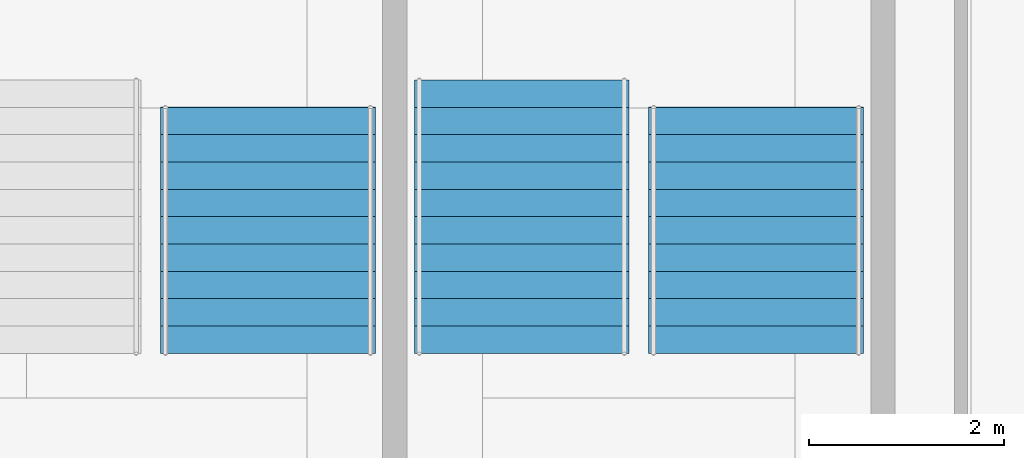
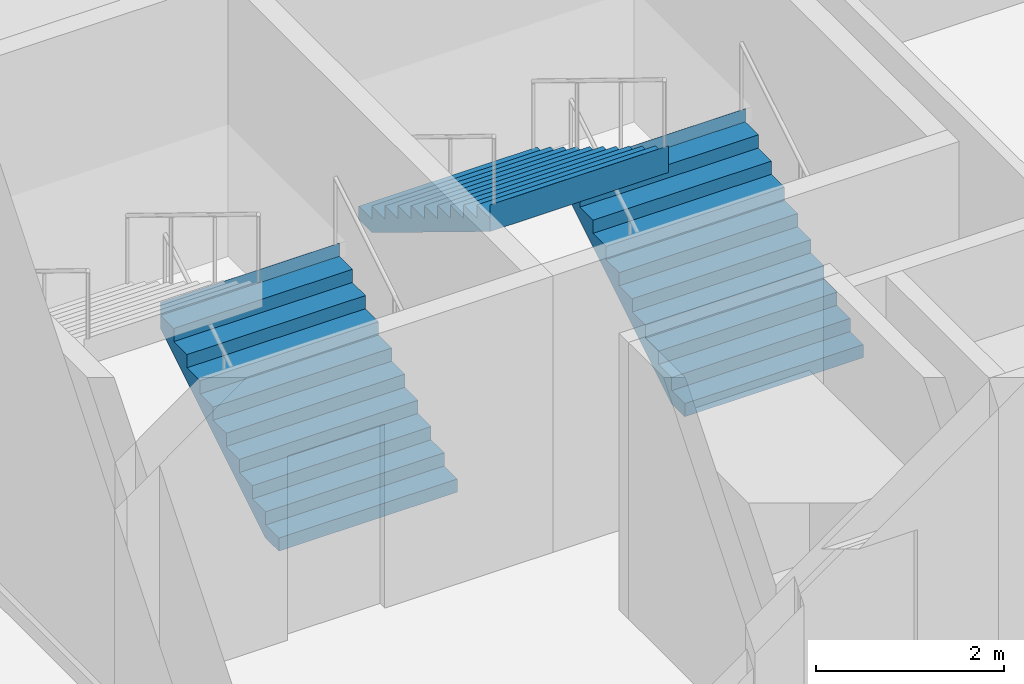
# One storey, part 102 of 148: 3 stair flights, 2 elements without a shape of their own.
"""IFC4 building model written with IfcOpenShell, lengths in metres."""

from ifc_helpers import new_model, si_unit, direction, frame, origin, place, context, subcontext, project, spatial, polyline, outline, extrude, material, type_object, element, aggregate, save


model = new_model("IFC4")

# Units and contexts
model_context = context("Model", 3, precision=1e-05, world=origin(), true_north=direction((0.0, 1.0)))
body_context = subcontext(model_context, "Body", "Model", "MODEL_VIEW")
ifc_project = project(units=[si_unit("LENGTHUNIT", "METRE"), si_unit("AREAUNIT", "SQUARE_METRE"), si_unit("VOLUMEUNIT", "CUBIC_METRE"), si_unit("PLANEANGLEUNIT", "RADIAN"), si_unit("MASSUNIT", "GRAM", prefix="KILO")], contexts=[model_context])

# Site, building, storey
site_placement = place(None, origin())
site = spatial("IfcSite", under=ifc_project, at=site_placement, CompositionType="ELEMENT")
building_placement = place(site_placement, origin())
building = spatial("IfcBuilding", under=site, at=building_placement, Name="Kupolbacken Congress Centre", CompositionType="ELEMENT")
storey_placement = place(building_placement, origin())
storey = spatial("IfcBuildingStorey", under=building, at=storey_placement, Name="L00", CompositionType="ELEMENT", Elevation=0.0)

# Stair, stair flight
ifc_material_1 = material(Name="Concrete C30/37", Category="concrete")
stair_type = type_object("IfcStairType", Name="ST13 stair 2200", PredefinedType="TWO_STRAIGHT_RUN_STAIR", material=ifc_material_1)
stair_1_placement = place(storey_placement, origin())
stair_1 = element("IfcStair", 1, at=stair_1_placement, inside=storey, type_object=stair_type, Name="C/stair/PS1NW/L00", PredefinedType="NOTDEFINED")
ifc_material_2 = material(Name="Concrete C30/37", Category="concrete")
stair_flight_type_1 = type_object("IfcStairFlightType", Name="FL13 stair flight 2200 x 10 risers", PredefinedType="STRAIGHT", material=ifc_material_2)
stair_flight_1_placement = place(storey_placement, frame((10.89990234375, 117.2548828125, 0.0), z_axis=(0.0, 0.0, 1.0), x_axis=(0.0, 1.0, 0.0)))
stair_flight_1 = element("IfcStairFlight", 2, at=stair_flight_1_placement, type_object=stair_flight_type_1, Name="PS1NW flight 1", NumberOfRisers=10, NumberOfTreads=9, PredefinedType="STRAIGHT", RiserHeight=0.171428571, TreadLength=0.28, context=body_context, shape_type="SweptSolid", body=[
    extrude(outline(polyline([(0.0, 0.0), (0.0, 0.0009765625), (0.0, 0.002197265625), (0.0, 0.003173828125), (0.0, 0.004150390625), (0.0, 0.00537109375), (0.0, 0.00634765625), (0.0, 0.007568359375), (0.0, 0.008544921875), (0.0, 0.009521484375), (0.0, 0.0107421875), (0.0, 0.01171875), (0.0, 0.0126953125), (0.0, 0.013916015625), (0.0, 0.014892578125), (0.0, 0.015869140625), (0.0, 0.01708984375), (0.0, 0.01806640625), (0.0, 0.019287109375), (0.0, 0.020263671875), (0.0, 0.021240234375), (0.0, 0.0224609375), (0.0, 0.0234375), (0.0, 0.0244140625), (0.0, 0.025634765625), (0.0, 0.026611328125), (0.0, 0.027587890625), (0.0, 0.02880859375), (0.0, 0.02978515625), (0.0, 0.03076171875), (0.0, 0.031982421875), (0.0, 0.032958984375), (0.0, 0.0341796875), (0.0, 0.03515625), (0.0, 0.0361328125), (0.0, 0.037353515625), (0.0, 0.038330078125), (0.0, 0.039306640625), (0.0, 0.04052734375), (0.0, 0.04150390625), (0.0, 0.04248046875), (0.0, 0.043701171875), (0.0, 0.044677734375), (0.0, 0.0458984375), (0.0, 0.046875), (0.0, 0.0478515625), (0.0, 0.049072265625), (0.0, 0.050048828125), (0.0, 0.051025390625), (0.0, 0.05224609375), (0.0, 0.05322265625), (0.0, 0.05419921875), (0.0, 0.055419921875), (0.0, 0.056396484375), (0.0, 0.0576171875), (0.0, 0.05859375), (0.0, 0.0595703125), (0.0, 0.060791015625), (0.0, 0.061767578125), (0.0, 0.062744140625), (0.0, 0.06396484375), (0.0, 0.06494140625), (0.0, 0.06591796875), (0.0, 0.067138671875), (0.0, 0.068115234375), (0.0, 0.069091796875), (0.0, 0.0703125), (0.0, 0.0712890625), (0.0, 0.072509765625), (0.0, 0.073486328125), (0.0, 0.074462890625), (0.0, 0.07568359375), (0.0, 0.07666015625), (0.0, 0.07763671875), (0.0, 0.078857421875), (0.0, 0.079833984375), (0.0, 0.080810546875), (0.0, 0.08203125), (0.0, 0.0830078125), (0.0, 0.084228515625), (0.0, 0.085205078125), (0.0, 0.086181640625), (0.0, 0.08740234375), (0.0, 0.08837890625), (0.0, 0.08935546875), (0.0, 0.090576171875), (0.0, 0.091552734375), (0.0, 0.092529296875), (0.0, 0.09375), (0.0, 0.0947265625), (0.0, 0.095947265625), (0.0, 0.096923828125), (0.0, 0.097900390625), (0.0, 0.09912109375), (0.0, 0.10009765625), (0.0, 0.10107421875), (0.0, 0.102294921875), (0.0, 0.103271484375), (0.0, 0.104248046875), (0.0, 0.10546875), (0.0, 0.1064453125), (0.0, 0.107421875), (0.0, 0.108642578125), (0.0, 0.109619140625), (0.0, 0.11083984375), (0.0, 0.11181640625), (0.0, 0.11279296875), (0.0, 0.114013671875), (0.0, 0.114990234375), (0.0, 0.115966796875), (0.0, 0.1171875), (0.0, 0.1181640625), (0.0, 0.119140625), (0.0, 0.120361328125), (0.0, 0.121337890625), (0.0, 0.12255859375), (0.0, 0.12353515625), (0.0, 0.12451171875), (0.0, 0.125732421875), (0.0, 0.126708984375), (0.0, 0.127685546875), (0.0, 0.12890625), (0.0, 0.1298828125), (0.0, 0.130859375), (0.0, 0.132080078125), (0.0, 0.133056640625), (0.0, 0.13427734375), (0.0, 0.13525390625), (0.0, 0.13623046875), (0.0, 0.137451171875), (0.0, 0.138427734375), (0.0, 0.139404296875), (0.0, 0.140625), (0.0, 0.1416015625), (0.0, 0.142578125), (0.0, 0.143798828125), (0.0, 0.144775390625), (0.0, 0.145751953125), (0.0, 0.14697265625), (0.0, 0.14794921875), (0.0, 0.149169921875), (0.0, 0.150146484375), (0.0, 0.151123046875), (0.0, 0.15234375), (0.0, 0.1533203125), (0.0, 0.154296875), (0.0, 0.155517578125), (0.0, 0.156494140625), (0.0, 0.157470703125), (0.0, 0.15869140625), (0.0, 0.15966796875), (0.0, 0.160888671875), (0.0, 0.161865234375), (0.0, 0.162841796875), (0.0, 0.1640625), (0.0, 0.1650390625), (0.0, 0.166015625), (0.0, 0.167236328125), (0.0, 0.168212890625), (0.0, 0.169189453125), (0.0, 0.17041015625), (0.0, 0.17138671875), (0.280029296875, 0.17138671875), (0.280029296875, 0.3427734375), (0.56005859375, 0.3427734375), (0.56005859375, 0.514404296875), (0.840087890625, 0.514404296875), (0.840087890625, 0.685791015625), (1.1201171875, 0.685791015625), (1.1201171875, 0.857177734375), (1.39990234375, 0.857177734375), (1.39990234375, 1.028564453125), (1.679931640625, 1.028564453125), (1.679931640625, 1.199951171875), (1.9599609375, 1.199951171875), (1.9599609375, 1.371337890625), (2.239990234375, 1.371337890625), (2.239990234375, 1.54296875), (2.52001953125, 1.54296875), (2.52001953125, 1.71435546875), (2.52197265625, 1.71435546875), (2.52197265625, 1.712158203125), (2.52197265625, 1.7099609375), (2.52197265625, 1.707763671875), (2.52197265625, 1.70556640625), (2.52197265625, 1.70361328125), (2.52197265625, 1.701416015625), (2.52197265625, 1.69921875), (2.52197265625, 1.697021484375), (2.52197265625, 1.69482421875), (2.52197265625, 1.692626953125), (2.52197265625, 1.690673828125), (2.52197265625, 1.6884765625), (2.52197265625, 1.686279296875), (2.52197265625, 1.68408203125), (2.52197265625, 1.681884765625), (2.52197265625, 1.6796875), (2.52197265625, 1.677734375), (2.52197265625, 1.675537109375), (2.52197265625, 1.67333984375), (2.52197265625, 1.671142578125), (2.52197265625, 1.6689453125), (2.52197265625, 1.666748046875), (2.52197265625, 1.664794921875), (2.52197265625, 1.66259765625), (2.52197265625, 1.660400390625), (2.52197265625, 1.658203125), (2.52197265625, 1.656005859375), (2.52197265625, 1.65380859375), (2.52197265625, 1.65185546875), (2.52197265625, 1.649658203125), (2.52197265625, 1.6474609375), (2.52197265625, 1.645263671875), (2.52197265625, 1.64306640625), (2.52197265625, 1.640869140625), (2.52197265625, 1.638916015625), (2.52197265625, 1.63671875), (2.52197265625, 1.634521484375), (2.52197265625, 1.63232421875), (2.52197265625, 1.630126953125), (2.52197265625, 1.6279296875), (2.52197265625, 1.6259765625), (2.52197265625, 1.623779296875), (2.52197265625, 1.62158203125), (2.52197265625, 1.619384765625), (2.52197265625, 1.6171875), (2.52197265625, 1.614990234375), (2.52197265625, 1.613037109375), (2.52197265625, 1.61083984375), (2.52197265625, 1.608642578125), (2.52197265625, 1.6064453125), (2.52197265625, 1.604248046875), (2.52197265625, 1.60205078125), (2.52197265625, 1.60009765625), (2.52197265625, 1.597900390625), (2.52197265625, 1.595703125), (2.52197265625, 1.593505859375), (2.52197265625, 1.59130859375), (2.52197265625, 1.589111328125), (2.52197265625, 1.587158203125), (2.52197265625, 1.5849609375), (2.52197265625, 1.582763671875), (2.52197265625, 1.58056640625), (2.52197265625, 1.578369140625), (2.52197265625, 1.576171875), (2.52197265625, 1.57421875), (2.52197265625, 1.572021484375), (2.52197265625, 1.56982421875), (2.52197265625, 1.567626953125), (2.52197265625, 1.5654296875), (2.52197265625, 1.563232421875), (2.52197265625, 1.561279296875), (2.52197265625, 1.55908203125), (2.52197265625, 1.556884765625), (2.52197265625, 1.5546875), (2.52197265625, 1.552490234375), (2.52197265625, 1.55029296875), (2.52197265625, 1.54833984375), (2.52197265625, 1.546142578125), (2.52197265625, 1.5439453125), (2.52197265625, 1.541748046875), (2.52197265625, 1.53955078125), (2.52197265625, 1.537353515625), (2.52197265625, 1.535400390625), (2.52197265625, 1.533203125), (2.52197265625, 1.531005859375), (2.52197265625, 1.52880859375), (2.52197265625, 1.526611328125), (2.52197265625, 1.5244140625), (2.52197265625, 1.5224609375), (2.52197265625, 1.520263671875), (2.52197265625, 1.51806640625), (2.52197265625, 1.515869140625), (2.52197265625, 1.513671875), (2.52197265625, 1.511474609375), (2.52197265625, 1.509521484375), (2.52197265625, 1.50732421875), (2.52197265625, 1.505126953125), (2.52197265625, 1.5029296875), (2.52197265625, 1.500732421875), (2.52197265625, 1.49853515625), (2.52197265625, 1.49658203125), (2.52197265625, 1.494384765625), (2.52197265625, 1.4921875), (2.52197265625, 1.489990234375), (2.52197265625, 1.48779296875), (2.52197265625, 1.485595703125), (2.52197265625, 1.483642578125), (2.52197265625, 1.4814453125), (2.52197265625, 1.479248046875), (2.52197265625, 1.47705078125), (2.52197265625, 1.474853515625), (2.52197265625, 1.47265625), (2.52197265625, 1.470703125), (2.52197265625, 1.468505859375), (2.52197265625, 1.46630859375), (2.52197265625, 1.464111328125), (2.52197265625, 1.4619140625), (2.52197265625, 1.459716796875), (2.52197265625, 1.457763671875), (2.52197265625, 1.45556640625), (2.52197265625, 1.453369140625), (2.52197265625, 1.451171875), (2.52197265625, 1.448974609375), (2.52197265625, 1.44677734375), (2.52197265625, 1.44482421875), (2.52197265625, 1.442626953125), (2.52197265625, 1.4404296875), (2.52197265625, 1.438232421875), (2.52197265625, 1.43603515625), (2.52197265625, 1.433837890625), (2.52197265625, 1.431884765625), (2.52197265625, 1.4296875), (2.52197265625, 1.427490234375), (2.52197265625, 1.42529296875), (2.52197265625, 1.423095703125), (2.52197265625, 1.4208984375), (2.52197265625, 1.4189453125), (2.52197265625, 1.416748046875), (2.52197265625, 1.41455078125), (2.52197265625, 1.412353515625), (2.52197265625, 1.41015625), (2.52197265625, 1.407958984375), (2.52197265625, 1.406005859375), (2.52197265625, 1.40380859375), (2.52197265625, 1.401611328125), (2.52197265625, 1.3994140625), (2.52197265625, 1.397216796875), (2.52197265625, 1.39501953125), (2.52197265625, 1.39306640625), (2.52197265625, 1.390869140625), (2.52197265625, 1.388671875), (2.52197265625, 1.386474609375), (2.52197265625, 1.38427734375), (2.52197265625, 1.382080078125), (2.52197265625, 1.380126953125), (2.52197265625, 1.3779296875), (2.52197265625, 1.375732421875), (2.52197265625, 1.37353515625), (2.52197265625, 1.371337890625), (2.52197265625, 1.369140625), (2.52197265625, 1.3671875), (0.2890625, 0.0), (0.0, 0.0)])), frame((0.0, 1.10009765625, 0.0), z_axis=(0.0, -1.0, 0.0), x_axis=(1.0, 0.0, 0.0)), (0.0, 0.0, 1.0), 2.199951171875),
])
aggregate(stair_1, [stair_flight_1])

# Stair, stair flights
stair_2_placement = place(storey_placement, origin())
stair_2 = element("IfcStair", 3, at=stair_2_placement, inside=storey, type_object=stair_type, Name="C/stair/PS2NW/L00", PredefinedType="NOTDEFINED")
stair_flight_2_placement = place(storey_placement, frame((15.89990234375, 117.2548828125, 0.0), z_axis=(0.0, 0.0, 1.0), x_axis=(0.0, 1.0, 0.0)))
stair_flight_2 = element("IfcStairFlight", 4, at=stair_flight_2_placement, type_object=stair_flight_type_1, Name="PS2NW flight 1", NumberOfRisers=10, NumberOfTreads=9, PredefinedType="STRAIGHT", RiserHeight=0.171428571, TreadLength=0.28, context=body_context, shape_type="SweptSolid", body=[
    extrude(outline(polyline([(0.0, 0.0), (0.0, 0.0009765625), (0.0, 0.002197265625), (0.0, 0.003173828125), (0.0, 0.004150390625), (0.0, 0.00537109375), (0.0, 0.00634765625), (0.0, 0.007568359375), (0.0, 0.008544921875), (0.0, 0.009521484375), (0.0, 0.0107421875), (0.0, 0.01171875), (0.0, 0.0126953125), (0.0, 0.013916015625), (0.0, 0.014892578125), (0.0, 0.015869140625), (0.0, 0.01708984375), (0.0, 0.01806640625), (0.0, 0.019287109375), (0.0, 0.020263671875), (0.0, 0.021240234375), (0.0, 0.0224609375), (0.0, 0.0234375), (0.0, 0.0244140625), (0.0, 0.025634765625), (0.0, 0.026611328125), (0.0, 0.027587890625), (0.0, 0.02880859375), (0.0, 0.02978515625), (0.0, 0.03076171875), (0.0, 0.031982421875), (0.0, 0.032958984375), (0.0, 0.0341796875), (0.0, 0.03515625), (0.0, 0.0361328125), (0.0, 0.037353515625), (0.0, 0.038330078125), (0.0, 0.039306640625), (0.0, 0.04052734375), (0.0, 0.04150390625), (0.0, 0.04248046875), (0.0, 0.043701171875), (0.0, 0.044677734375), (0.0, 0.0458984375), (0.0, 0.046875), (0.0, 0.0478515625), (0.0, 0.049072265625), (0.0, 0.050048828125), (0.0, 0.051025390625), (0.0, 0.05224609375), (0.0, 0.05322265625), (0.0, 0.05419921875), (0.0, 0.055419921875), (0.0, 0.056396484375), (0.0, 0.0576171875), (0.0, 0.05859375), (0.0, 0.0595703125), (0.0, 0.060791015625), (0.0, 0.061767578125), (0.0, 0.062744140625), (0.0, 0.06396484375), (0.0, 0.06494140625), (0.0, 0.06591796875), (0.0, 0.067138671875), (0.0, 0.068115234375), (0.0, 0.069091796875), (0.0, 0.0703125), (0.0, 0.0712890625), (0.0, 0.072509765625), (0.0, 0.073486328125), (0.0, 0.074462890625), (0.0, 0.07568359375), (0.0, 0.07666015625), (0.0, 0.07763671875), (0.0, 0.078857421875), (0.0, 0.079833984375), (0.0, 0.080810546875), (0.0, 0.08203125), (0.0, 0.0830078125), (0.0, 0.084228515625), (0.0, 0.085205078125), (0.0, 0.086181640625), (0.0, 0.08740234375), (0.0, 0.08837890625), (0.0, 0.08935546875), (0.0, 0.090576171875), (0.0, 0.091552734375), (0.0, 0.092529296875), (0.0, 0.09375), (0.0, 0.0947265625), (0.0, 0.095947265625), (0.0, 0.096923828125), (0.0, 0.097900390625), (0.0, 0.09912109375), (0.0, 0.10009765625), (0.0, 0.10107421875), (0.0, 0.102294921875), (0.0, 0.103271484375), (0.0, 0.104248046875), (0.0, 0.10546875), (0.0, 0.1064453125), (0.0, 0.107421875), (0.0, 0.108642578125), (0.0, 0.109619140625), (0.0, 0.11083984375), (0.0, 0.11181640625), (0.0, 0.11279296875), (0.0, 0.114013671875), (0.0, 0.114990234375), (0.0, 0.115966796875), (0.0, 0.1171875), (0.0, 0.1181640625), (0.0, 0.119140625), (0.0, 0.120361328125), (0.0, 0.121337890625), (0.0, 0.12255859375), (0.0, 0.12353515625), (0.0, 0.12451171875), (0.0, 0.125732421875), (0.0, 0.126708984375), (0.0, 0.127685546875), (0.0, 0.12890625), (0.0, 0.1298828125), (0.0, 0.130859375), (0.0, 0.132080078125), (0.0, 0.133056640625), (0.0, 0.13427734375), (0.0, 0.13525390625), (0.0, 0.13623046875), (0.0, 0.137451171875), (0.0, 0.138427734375), (0.0, 0.139404296875), (0.0, 0.140625), (0.0, 0.1416015625), (0.0, 0.142578125), (0.0, 0.143798828125), (0.0, 0.144775390625), (0.0, 0.145751953125), (0.0, 0.14697265625), (0.0, 0.14794921875), (0.0, 0.149169921875), (0.0, 0.150146484375), (0.0, 0.151123046875), (0.0, 0.15234375), (0.0, 0.1533203125), (0.0, 0.154296875), (0.0, 0.155517578125), (0.0, 0.156494140625), (0.0, 0.157470703125), (0.0, 0.15869140625), (0.0, 0.15966796875), (0.0, 0.160888671875), (0.0, 0.161865234375), (0.0, 0.162841796875), (0.0, 0.1640625), (0.0, 0.1650390625), (0.0, 0.166015625), (0.0, 0.167236328125), (0.0, 0.168212890625), (0.0, 0.169189453125), (0.0, 0.17041015625), (0.0, 0.17138671875), (0.280029296875, 0.17138671875), (0.280029296875, 0.3427734375), (0.56005859375, 0.3427734375), (0.56005859375, 0.514404296875), (0.840087890625, 0.514404296875), (0.840087890625, 0.685791015625), (1.1201171875, 0.685791015625), (1.1201171875, 0.857177734375), (1.39990234375, 0.857177734375), (1.39990234375, 1.028564453125), (1.679931640625, 1.028564453125), (1.679931640625, 1.199951171875), (1.9599609375, 1.199951171875), (1.9599609375, 1.371337890625), (2.239990234375, 1.371337890625), (2.239990234375, 1.54296875), (2.52001953125, 1.54296875), (2.52001953125, 1.71435546875), (2.52197265625, 1.71435546875), (2.52197265625, 1.712158203125), (2.52197265625, 1.7099609375), (2.52197265625, 1.707763671875), (2.52197265625, 1.70556640625), (2.52197265625, 1.70361328125), (2.52197265625, 1.701416015625), (2.52197265625, 1.69921875), (2.52197265625, 1.697021484375), (2.52197265625, 1.69482421875), (2.52197265625, 1.692626953125), (2.52197265625, 1.690673828125), (2.52197265625, 1.6884765625), (2.52197265625, 1.686279296875), (2.52197265625, 1.68408203125), (2.52197265625, 1.681884765625), (2.52197265625, 1.6796875), (2.52197265625, 1.677734375), (2.52197265625, 1.675537109375), (2.52197265625, 1.67333984375), (2.52197265625, 1.671142578125), (2.52197265625, 1.6689453125), (2.52197265625, 1.666748046875), (2.52197265625, 1.664794921875), (2.52197265625, 1.66259765625), (2.52197265625, 1.660400390625), (2.52197265625, 1.658203125), (2.52197265625, 1.656005859375), (2.52197265625, 1.65380859375), (2.52197265625, 1.65185546875), (2.52197265625, 1.649658203125), (2.52197265625, 1.6474609375), (2.52197265625, 1.645263671875), (2.52197265625, 1.64306640625), (2.52197265625, 1.640869140625), (2.52197265625, 1.638916015625), (2.52197265625, 1.63671875), (2.52197265625, 1.634521484375), (2.52197265625, 1.63232421875), (2.52197265625, 1.630126953125), (2.52197265625, 1.6279296875), (2.52197265625, 1.6259765625), (2.52197265625, 1.623779296875), (2.52197265625, 1.62158203125), (2.52197265625, 1.619384765625), (2.52197265625, 1.6171875), (2.52197265625, 1.614990234375), (2.52197265625, 1.613037109375), (2.52197265625, 1.61083984375), (2.52197265625, 1.608642578125), (2.52197265625, 1.6064453125), (2.52197265625, 1.604248046875), (2.52197265625, 1.60205078125), (2.52197265625, 1.60009765625), (2.52197265625, 1.597900390625), (2.52197265625, 1.595703125), (2.52197265625, 1.593505859375), (2.52197265625, 1.59130859375), (2.52197265625, 1.589111328125), (2.52197265625, 1.587158203125), (2.52197265625, 1.5849609375), (2.52197265625, 1.582763671875), (2.52197265625, 1.58056640625), (2.52197265625, 1.578369140625), (2.52197265625, 1.576171875), (2.52197265625, 1.57421875), (2.52197265625, 1.572021484375), (2.52197265625, 1.56982421875), (2.52197265625, 1.567626953125), (2.52197265625, 1.5654296875), (2.52197265625, 1.563232421875), (2.52197265625, 1.561279296875), (2.52197265625, 1.55908203125), (2.52197265625, 1.556884765625), (2.52197265625, 1.5546875), (2.52197265625, 1.552490234375), (2.52197265625, 1.55029296875), (2.52197265625, 1.54833984375), (2.52197265625, 1.546142578125), (2.52197265625, 1.5439453125), (2.52197265625, 1.541748046875), (2.52197265625, 1.53955078125), (2.52197265625, 1.537353515625), (2.52197265625, 1.535400390625), (2.52197265625, 1.533203125), (2.52197265625, 1.531005859375), (2.52197265625, 1.52880859375), (2.52197265625, 1.526611328125), (2.52197265625, 1.5244140625), (2.52197265625, 1.5224609375), (2.52197265625, 1.520263671875), (2.52197265625, 1.51806640625), (2.52197265625, 1.515869140625), (2.52197265625, 1.513671875), (2.52197265625, 1.511474609375), (2.52197265625, 1.509521484375), (2.52197265625, 1.50732421875), (2.52197265625, 1.505126953125), (2.52197265625, 1.5029296875), (2.52197265625, 1.500732421875), (2.52197265625, 1.49853515625), (2.52197265625, 1.49658203125), (2.52197265625, 1.494384765625), (2.52197265625, 1.4921875), (2.52197265625, 1.489990234375), (2.52197265625, 1.48779296875), (2.52197265625, 1.485595703125), (2.52197265625, 1.483642578125), (2.52197265625, 1.4814453125), (2.52197265625, 1.479248046875), (2.52197265625, 1.47705078125), (2.52197265625, 1.474853515625), (2.52197265625, 1.47265625), (2.52197265625, 1.470703125), (2.52197265625, 1.468505859375), (2.52197265625, 1.46630859375), (2.52197265625, 1.464111328125), (2.52197265625, 1.4619140625), (2.52197265625, 1.459716796875), (2.52197265625, 1.457763671875), (2.52197265625, 1.45556640625), (2.52197265625, 1.453369140625), (2.52197265625, 1.451171875), (2.52197265625, 1.448974609375), (2.52197265625, 1.44677734375), (2.52197265625, 1.44482421875), (2.52197265625, 1.442626953125), (2.52197265625, 1.4404296875), (2.52197265625, 1.438232421875), (2.52197265625, 1.43603515625), (2.52197265625, 1.433837890625), (2.52197265625, 1.431884765625), (2.52197265625, 1.4296875), (2.52197265625, 1.427490234375), (2.52197265625, 1.42529296875), (2.52197265625, 1.423095703125), (2.52197265625, 1.4208984375), (2.52197265625, 1.4189453125), (2.52197265625, 1.416748046875), (2.52197265625, 1.41455078125), (2.52197265625, 1.412353515625), (2.52197265625, 1.41015625), (2.52197265625, 1.407958984375), (2.52197265625, 1.406005859375), (2.52197265625, 1.40380859375), (2.52197265625, 1.401611328125), (2.52197265625, 1.3994140625), (2.52197265625, 1.397216796875), (2.52197265625, 1.39501953125), (2.52197265625, 1.39306640625), (2.52197265625, 1.390869140625), (2.52197265625, 1.388671875), (2.52197265625, 1.386474609375), (2.52197265625, 1.38427734375), (2.52197265625, 1.382080078125), (2.52197265625, 1.380126953125), (2.52197265625, 1.3779296875), (2.52197265625, 1.375732421875), (2.52197265625, 1.37353515625), (2.52197265625, 1.371337890625), (2.52197265625, 1.369140625), (2.52197265625, 1.3671875), (0.2890625, 0.0), (0.0, 0.0)])), frame((0.0, 1.10009765625, 0.0), z_axis=(0.0, -1.0, 0.0), x_axis=(1.0, 0.0, 0.0)), (0.0, 0.0, 1.0), 2.199951171875),
])
ifc_material_3 = material(Name="Concrete C30/37", Category="concrete")
stair_flight_type_2 = type_object("IfcStairFlightType", Name="FL14 stair flight 2200 x 11 risers", PredefinedType="STRAIGHT", material=ifc_material_3)
stair_flight_3_placement = place(storey_placement, frame((13.5, 120.054931640625, 1.71435546875), z_axis=(0.0, 0.0, 1.0), x_axis=(0.0, -1.0, 0.0)))
stair_flight_3 = element("IfcStairFlight", 5, at=stair_flight_3_placement, type_object=stair_flight_type_2, Name="PS2NW flight 2", NumberOfRisers=11, NumberOfTreads=10, PredefinedType="STRAIGHT", RiserHeight=0.171428571, TreadLength=0.28, context=body_context, shape_type="SweptSolid", body=[
    extrude(outline(polyline([(0.0, 0.0), (0.0, 0.0009765625), (0.0, 0.002197265625), (0.0, 0.003173828125), (0.0, 0.004150390625), (0.0, 0.00537109375), (0.0, 0.00634765625), (0.0, 0.007568359375), (0.0, 0.008544921875), (0.0, 0.009521484375), (0.0, 0.0107421875), (0.0, 0.01171875), (0.0, 0.0126953125), (0.0, 0.013916015625), (0.0, 0.014892578125), (0.0, 0.015869140625), (0.0, 0.01708984375), (0.0, 0.01806640625), (0.0, 0.019287109375), (0.0, 0.020263671875), (0.0, 0.021240234375), (0.0, 0.0224609375), (0.0, 0.0234375), (0.0, 0.0244140625), (0.0, 0.025634765625), (0.0, 0.026611328125), (0.0, 0.027587890625), (0.0, 0.02880859375), (0.0, 0.02978515625), (0.0, 0.03076171875), (0.0, 0.031982421875), (0.0, 0.032958984375), (0.0, 0.0341796875), (0.0, 0.03515625), (0.0, 0.0361328125), (0.0, 0.037353515625), (0.0, 0.038330078125), (0.0, 0.039306640625), (0.0, 0.04052734375), (0.0, 0.04150390625), (0.0, 0.04248046875), (0.0, 0.043701171875), (0.0, 0.044677734375), (0.0, 0.0458984375), (0.0, 0.046875), (0.0, 0.0478515625), (0.0, 0.049072265625), (0.0, 0.050048828125), (0.0, 0.051025390625), (0.0, 0.05224609375), (0.0, 0.05322265625), (0.0, 0.05419921875), (0.0, 0.055419921875), (0.0, 0.056396484375), (0.0, 0.0576171875), (0.0, 0.05859375), (0.0, 0.0595703125), (0.0, 0.060791015625), (0.0, 0.061767578125), (0.0, 0.062744140625), (0.0, 0.06396484375), (0.0, 0.06494140625), (0.0, 0.06591796875), (0.0, 0.067138671875), (0.0, 0.068115234375), (0.0, 0.069091796875), (0.0, 0.0703125), (0.0, 0.0712890625), (0.0, 0.072509765625), (0.0, 0.073486328125), (0.0, 0.074462890625), (0.0, 0.07568359375), (0.0, 0.07666015625), (0.0, 0.07763671875), (0.0, 0.078857421875), (0.0, 0.079833984375), (0.0, 0.080810546875), (0.0, 0.08203125), (0.0, 0.0830078125), (0.0, 0.084228515625), (0.0, 0.085205078125), (0.0, 0.086181640625), (0.0, 0.08740234375), (0.0, 0.08837890625), (0.0, 0.08935546875), (0.0, 0.090576171875), (0.0, 0.091552734375), (0.0, 0.092529296875), (0.0, 0.09375), (0.0, 0.0947265625), (0.0, 0.095947265625), (0.0, 0.096923828125), (0.0, 0.097900390625), (0.0, 0.09912109375), (0.0, 0.10009765625), (0.0, 0.10107421875), (0.0, 0.102294921875), (0.0, 0.103271484375), (0.0, 0.104248046875), (0.0, 0.10546875), (0.0, 0.1064453125), (0.0, 0.107421875), (0.0, 0.108642578125), (0.0, 0.109619140625), (0.0, 0.11083984375), (0.0, 0.11181640625), (0.0, 0.11279296875), (0.0, 0.114013671875), (0.0, 0.114990234375), (0.0, 0.115966796875), (0.0, 0.1171875), (0.0, 0.1181640625), (0.0, 0.119140625), (0.0, 0.120361328125), (0.0, 0.121337890625), (0.0, 0.12255859375), (0.0, 0.12353515625), (0.0, 0.12451171875), (0.0, 0.125732421875), (0.0, 0.126708984375), (0.0, 0.127685546875), (0.0, 0.12890625), (0.0, 0.1298828125), (0.0, 0.130859375), (0.0, 0.132080078125), (0.0, 0.133056640625), (0.0, 0.13427734375), (0.0, 0.13525390625), (0.0, 0.13623046875), (0.0, 0.137451171875), (0.0, 0.138427734375), (0.0, 0.139404296875), (0.0, 0.140625), (0.0, 0.1416015625), (0.0, 0.142578125), (0.0, 0.143798828125), (0.0, 0.144775390625), (0.0, 0.145751953125), (0.0, 0.14697265625), (0.0, 0.14794921875), (0.0, 0.149169921875), (0.0, 0.150146484375), (0.0, 0.151123046875), (0.0, 0.15234375), (0.0, 0.1533203125), (0.0, 0.154296875), (0.0, 0.155517578125), (0.0, 0.156494140625), (0.0, 0.157470703125), (0.0, 0.15869140625), (0.0, 0.15966796875), (0.0, 0.160888671875), (0.0, 0.161865234375), (0.0, 0.162841796875), (0.0, 0.1640625), (0.0, 0.1650390625), (0.0, 0.166015625), (0.0, 0.167236328125), (0.0, 0.168212890625), (0.0, 0.169189453125), (0.0, 0.17041015625), (0.0, 0.17138671875), (0.280029296875, 0.17138671875), (0.280029296875, 0.3427734375), (0.56005859375, 0.3427734375), (0.56005859375, 0.514404296875), (0.840087890625, 0.514404296875), (0.840087890625, 0.685791015625), (1.1201171875, 0.685791015625), (1.1201171875, 0.857177734375), (1.39990234375, 0.857177734375), (1.39990234375, 1.028564453125), (1.679931640625, 1.028564453125), (1.679931640625, 1.199951171875), (1.9599609375, 1.199951171875), (1.9599609375, 1.371337890625), (2.239990234375, 1.371337890625), (2.239990234375, 1.54296875), (2.52001953125, 1.54296875), (2.52001953125, 1.71435546875), (2.800048828125, 1.71435546875), (2.800048828125, 1.8857421875), (2.802001953125, 1.8857421875), (2.802001953125, 1.883544921875), (2.802001953125, 1.88134765625), (2.802001953125, 1.879150390625), (2.802001953125, 1.877197265625), (2.802001953125, 1.875), (2.802001953125, 1.872802734375), (2.802001953125, 1.87060546875), (2.802001953125, 1.868408203125), (2.802001953125, 1.8662109375), (2.802001953125, 1.8642578125), (2.802001953125, 1.862060546875), (2.802001953125, 1.85986328125), (2.802001953125, 1.857666015625), (2.802001953125, 1.85546875), (2.802001953125, 1.853271484375), (2.802001953125, 1.851318359375), (2.802001953125, 1.84912109375), (2.802001953125, 1.846923828125), (2.802001953125, 1.8447265625), (2.802001953125, 1.842529296875), (2.802001953125, 1.84033203125), (2.802001953125, 1.83837890625), (2.802001953125, 1.836181640625), (2.802001953125, 1.833984375), (2.802001953125, 1.831787109375), (2.802001953125, 1.82958984375), (2.802001953125, 1.827392578125), (2.802001953125, 1.825439453125), (2.802001953125, 1.8232421875), (2.802001953125, 1.821044921875), (2.802001953125, 1.81884765625), (2.802001953125, 1.816650390625), (2.802001953125, 1.814453125), (2.802001953125, 1.8125), (2.802001953125, 1.810302734375), (2.802001953125, 1.80810546875), (2.802001953125, 1.805908203125), (2.802001953125, 1.8037109375), (2.802001953125, 1.801513671875), (2.802001953125, 1.799560546875), (2.802001953125, 1.79736328125), (2.802001953125, 1.795166015625), (2.802001953125, 1.79296875), (2.802001953125, 1.790771484375), (2.802001953125, 1.78857421875), (2.802001953125, 1.78662109375), (2.802001953125, 1.784423828125), (2.802001953125, 1.7822265625), (2.802001953125, 1.780029296875), (2.802001953125, 1.77783203125), (2.802001953125, 1.775634765625), (2.802001953125, 1.773681640625), (2.802001953125, 1.771484375), (2.802001953125, 1.769287109375), (2.802001953125, 1.76708984375), (2.802001953125, 1.764892578125), (2.802001953125, 1.7626953125), (2.802001953125, 1.7607421875), (2.802001953125, 1.758544921875), (2.802001953125, 1.75634765625), (2.802001953125, 1.754150390625), (2.802001953125, 1.751953125), (2.802001953125, 1.749755859375), (2.802001953125, 1.747802734375), (2.802001953125, 1.74560546875), (2.802001953125, 1.743408203125), (2.802001953125, 1.7412109375), (2.802001953125, 1.739013671875), (2.802001953125, 1.73681640625), (2.802001953125, 1.73486328125), (2.802001953125, 1.732666015625), (2.802001953125, 1.73046875), (2.802001953125, 1.728271484375), (2.802001953125, 1.72607421875), (2.802001953125, 1.723876953125), (2.802001953125, 1.721923828125), (2.802001953125, 1.7197265625), (2.802001953125, 1.717529296875), (2.802001953125, 1.71533203125), (2.802001953125, 1.713134765625), (2.802001953125, 1.7109375), (2.802001953125, 1.708984375), (2.802001953125, 1.706787109375), (2.802001953125, 1.70458984375), (2.802001953125, 1.702392578125), (2.802001953125, 1.7001953125), (2.802001953125, 1.697998046875), (2.802001953125, 1.696044921875), (2.802001953125, 1.69384765625), (2.802001953125, 1.691650390625), (2.802001953125, 1.689453125), (2.802001953125, 1.687255859375), (2.802001953125, 1.68505859375), (2.802001953125, 1.68310546875), (2.802001953125, 1.680908203125), (2.802001953125, 1.6787109375), (2.802001953125, 1.676513671875), (2.802001953125, 1.67431640625), (2.802001953125, 1.672119140625), (2.802001953125, 1.670166015625), (2.802001953125, 1.66796875), (2.802001953125, 1.665771484375), (2.802001953125, 1.66357421875), (2.802001953125, 1.661376953125), (2.802001953125, 1.6591796875), (2.802001953125, 1.6572265625), (2.802001953125, 1.655029296875), (2.802001953125, 1.65283203125), (2.802001953125, 1.650634765625), (2.802001953125, 1.6484375), (2.802001953125, 1.646240234375), (2.802001953125, 1.644287109375), (2.802001953125, 1.64208984375), (2.802001953125, 1.639892578125), (2.802001953125, 1.6376953125), (2.802001953125, 1.635498046875), (2.802001953125, 1.63330078125), (2.802001953125, 1.63134765625), (2.802001953125, 1.629150390625), (2.802001953125, 1.626953125), (2.802001953125, 1.624755859375), (2.802001953125, 1.62255859375), (2.802001953125, 1.620361328125), (2.802001953125, 1.618408203125), (2.802001953125, 1.6162109375), (2.802001953125, 1.614013671875), (2.802001953125, 1.61181640625), (2.802001953125, 1.609619140625), (2.802001953125, 1.607421875), (2.802001953125, 1.60546875), (2.802001953125, 1.603271484375), (2.802001953125, 1.60107421875), (2.802001953125, 1.598876953125), (2.802001953125, 1.5966796875), (2.802001953125, 1.594482421875), (2.802001953125, 1.592529296875), (2.802001953125, 1.59033203125), (2.802001953125, 1.588134765625), (2.802001953125, 1.5859375), (2.802001953125, 1.583740234375), (2.802001953125, 1.58154296875), (2.802001953125, 1.57958984375), (2.802001953125, 1.577392578125), (2.802001953125, 1.5751953125), (2.802001953125, 1.572998046875), (2.802001953125, 1.57080078125), (2.802001953125, 1.568603515625), (2.802001953125, 1.566650390625), (2.802001953125, 1.564453125), (2.802001953125, 1.562255859375), (2.802001953125, 1.56005859375), (2.802001953125, 1.557861328125), (2.802001953125, 1.5556640625), (2.802001953125, 1.5537109375), (2.802001953125, 1.551513671875), (2.802001953125, 1.54931640625), (2.802001953125, 1.547119140625), (2.802001953125, 1.544921875), (2.802001953125, 1.542724609375), (2.802001953125, 1.540771484375), (2.802001953125, 1.53857421875), (0.2890625, 0.0), (0.0, 0.0)])), frame((0.0, 1.10009765625, 0.0), z_axis=(0.0, -1.0, 0.0), x_axis=(1.0, 0.0, 0.0)), (0.0, 0.0, 1.0), 2.199951171875),
])
aggregate(stair_2, [stair_flight_2, stair_flight_3])

save(model, "model.ifc")
